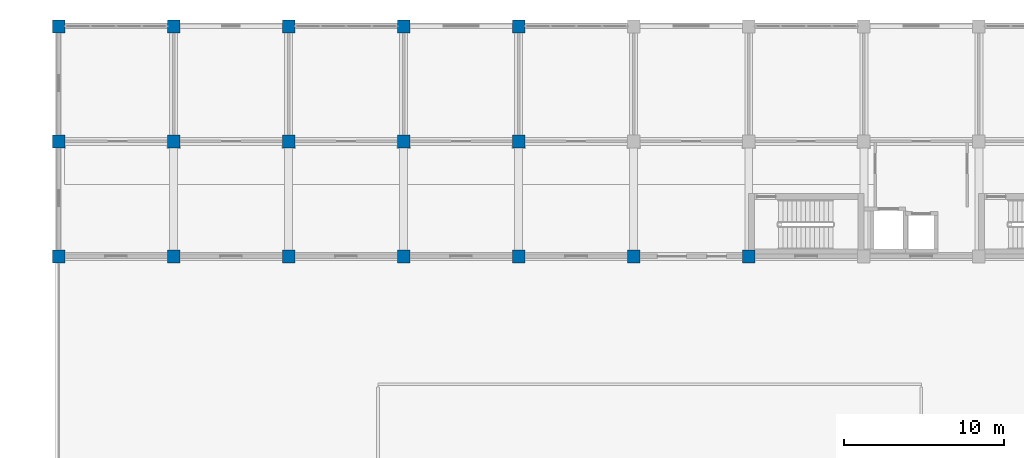
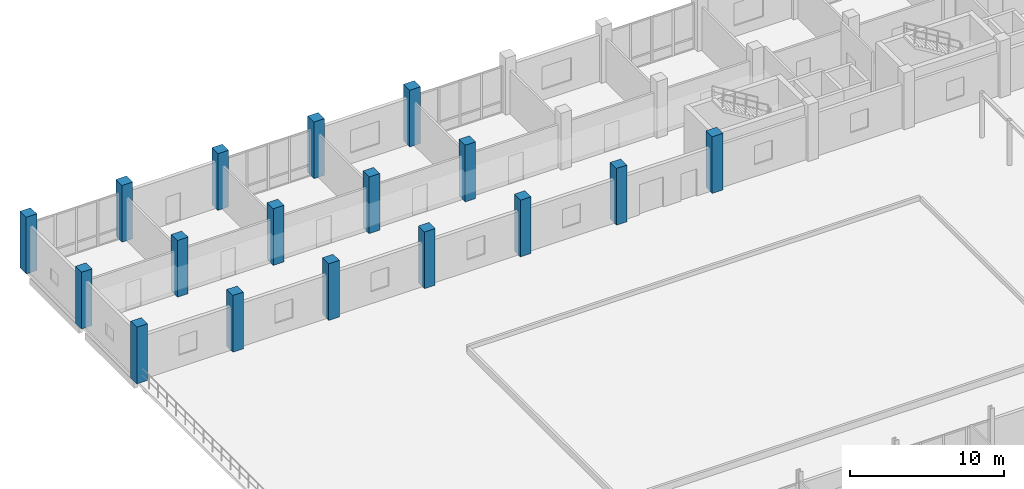
# One storey, part 10 of 139: 17 columns.
"""IFC4 building model written with IfcOpenShell, lengths in metres."""

from ifc_helpers import new_model, si_unit, direction, frame, origin, origin_2d, place, context, subcontext, project, spatial, rectangle, extrude, material, material_profile, profile_set, type_object, element, save


model = new_model("IFC4")

# Units and contexts
model_context = context("Model", 3, precision=1e-05, world=origin(), true_north=direction((0.0, 1.0)))
body_context = subcontext(model_context, "Body", "Model", "MODEL_VIEW")
ifc_project = project(units=[si_unit("LENGTHUNIT", "METRE"), si_unit("AREAUNIT", "SQUARE_METRE"), si_unit("VOLUMEUNIT", "CUBIC_METRE"), si_unit("PLANEANGLEUNIT", "RADIAN"), si_unit("MASSUNIT", "GRAM", prefix="KILO")], contexts=[model_context])

# Site, building, storey
site_placement = place(None, origin())
site = spatial("IfcSite", under=ifc_project, at=site_placement, CompositionType="ELEMENT")
building_placement = place(site_placement, origin())
building = spatial("IfcBuilding", under=site, at=building_placement, Name="Suanplinth Sawtooth Commons", CompositionType="ELEMENT")
storey_placement = place(building_placement, origin())
storey = spatial("IfcBuildingStorey", under=building, at=storey_placement, Name="L00", CompositionType="ELEMENT", Elevation=0.0)

# Columns
ifc_material = material(Name="Concrete C40/50", Category="concrete")
ifc_material_profile = material_profile(ifc_material, rectangle(XDim=0.800048828125, YDim=0.800048828125, at=origin_2d()), Name="RC-COL 800x800")
ifc_profile_set = profile_set([ifc_material_profile], Name="Concrete C40/50")
column_type = type_object("IfcColumnType", Name="C-01", PredefinedType="COLUMN", material=ifc_profile_set)
for number, where, z_axis, x_axis, name in (
    (1, (0.0, 108.0, 0.0), (0.0, 0.0, 1.0), (1.0, 0.0, 0.0), "Column L00 1/R"),
    (2, (0.0, 115.199951171875, 0.0), (0.0, 0.0, 1.0), (1.0, 0.0, 0.0), "Column L00 1/S"),
    (3, (0.0, 122.39990234375, 0.0), (0.0, 0.0, 1.0), (1.0, 0.0, 0.0), "Column L00 1/T"),
    (4, (7.199951171875, 108.0, 0.0), (0.0, 0.0, 1.0), (1.0, 0.0, 0.0), "Column L00 2/R"),
    (5, (7.199951171875, 115.199951171875, 0.0), (0.0, 0.0, 1.0), (1.0, 0.0, 0.0), "Column L00 2/S"),
    (6, (7.199951171875, 122.39990234375, 0.0), (0.0, 0.0, 1.0), (1.0, 0.0, 0.0), "Column L00 2/T"),
    (7, (14.39990234375, 108.0, 0.0), (0.0, 0.0, 1.0), (1.0, 0.0, 0.0), "Column L00 3/R"),
    (8, (14.39990234375, 115.199951171875, 0.0), (0.0, 0.0, 1.0), (1.0, 0.0, 0.0), "Column L00 3/S"),
    (9, (14.39990234375, 122.39990234375, 0.0), (0.0, 0.0, 1.0), (1.0, 0.0, 0.0), "Column L00 3/T"),
    (10, (21.60009765625, 108.0, 0.0), (0.0, 0.0, 1.0), (1.0, 0.0, 0.0), "Column L00 4/R"),
    (11, (21.60009765625, 115.199951171875, 0.0), (0.0, 0.0, 1.0), (1.0, 0.0, 0.0), "Column L00 4/S"),
    (12, (21.60009765625, 122.39990234375, 0.0), (0.0, 0.0, 1.0), (1.0, 0.0, 0.0), "Column L00 4/T"),
    (13, (28.800048828125, 108.0, 0.0), (0.0, 0.0, 1.0), (1.0, 0.0, 0.0), "Column L00 5/R"),
    (14, (28.800048828125, 115.199951171875, 0.0), (0.0, 0.0, 1.0), (1.0, 0.0, 0.0), "Column L00 5/S"),
    (15, (28.800048828125, 122.39990234375, 0.0), (0.0, 0.0, 1.0), (1.0, 0.0, 0.0), "Column L00 5/T"),
    (16, (36.0, 108.0, 0.0), (0.0, 0.0, 1.0), (1.0, 0.0, 0.0), "Column L00 6/R"),
    (17, (43.199951171875, 108.0, 0.0), (0.0, 0.0, 1.0), (1.0, 0.0, 0.0), "Column L00 7/R"),
):
    element("IfcColumn", number, at=place(storey_placement, frame(where, z_axis=z_axis, x_axis=x_axis)), inside=storey, type_object=column_type, Name=name, PredefinedType="COLUMN", context=body_context, shape_type="SweptSolid", body=[
        extrude(rectangle(XDim=0.800048828125, YDim=0.800048828125, at=origin_2d()), origin(), (0.0, 0.0, 1.0), 4.5),
    ])

save(model, "model.ifc")
